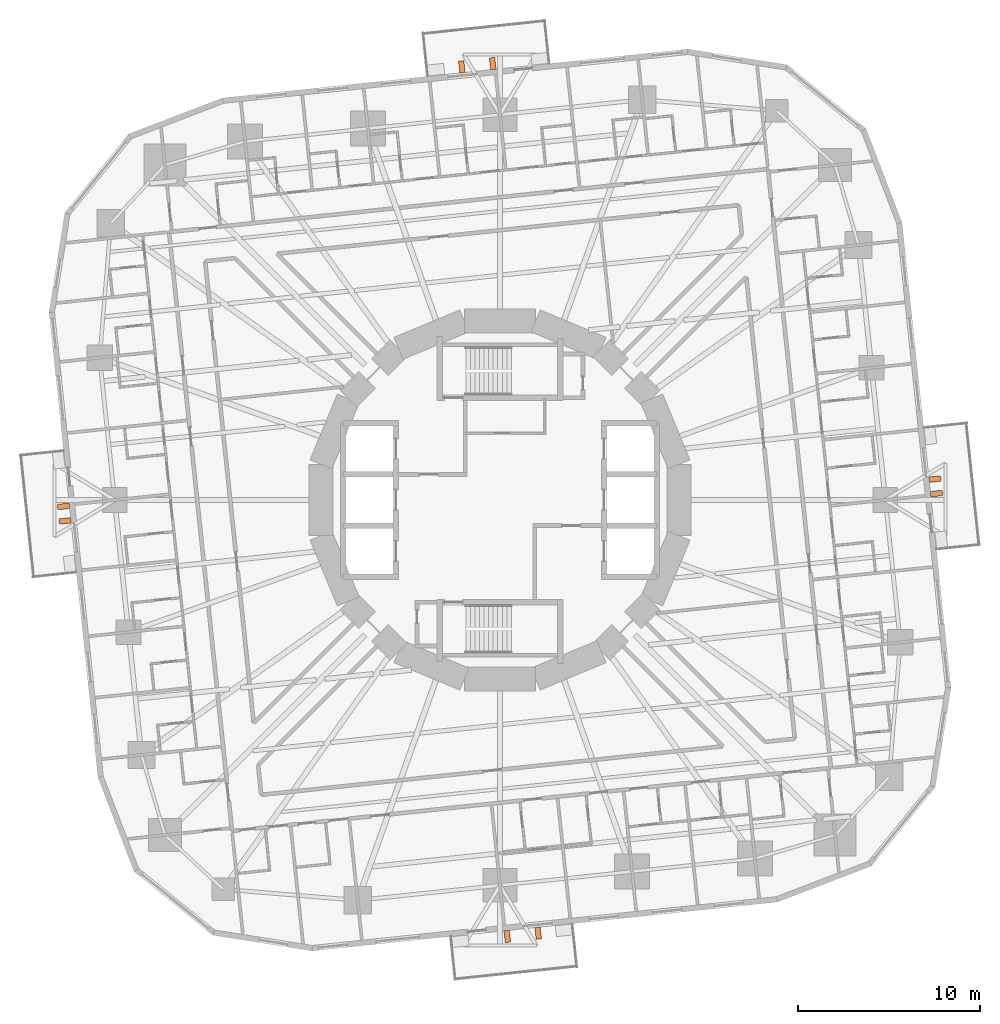
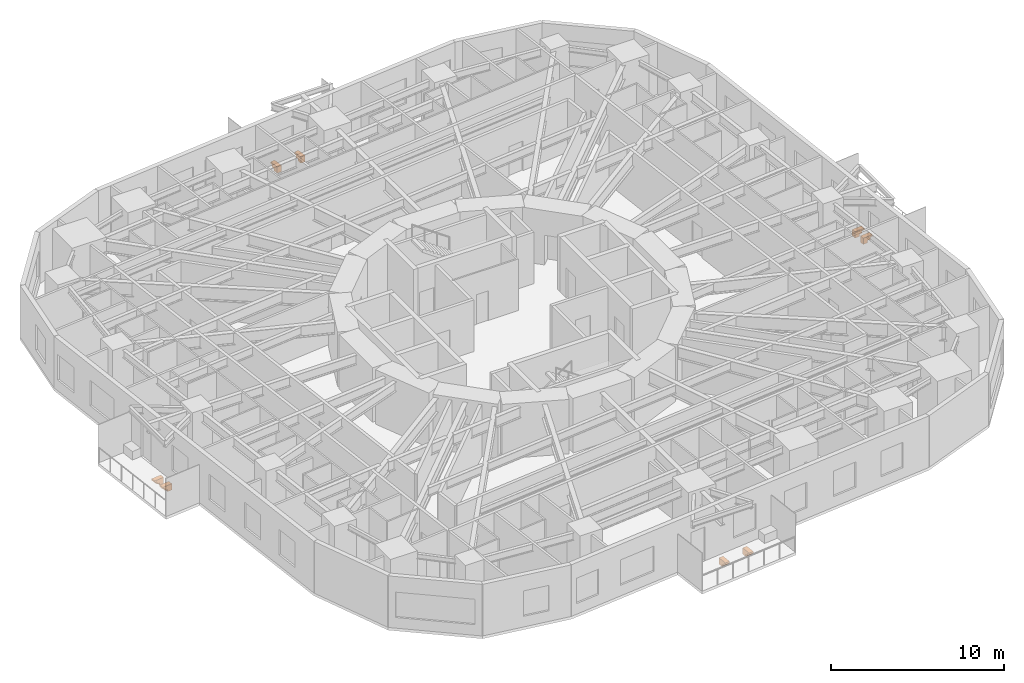
# One storey, part 15 of 15: 8 proxies.
"""IFC4 building model written with IfcOpenShell, lengths in metres."""

from ifc_helpers import new_model, si_unit, direction, frame, origin, place, context, subcontext, project, spatial, polyline, outline, extrude, material, type_object, element, save


model = new_model("IFC4")

# Units and contexts
model_context = context("Model", 3, precision=1e-05, world=origin(), true_north=direction((0.0, 1.0)))
body_context = subcontext(model_context, "Body", "Model", "MODEL_VIEW")
ifc_project = project(units=[si_unit("LENGTHUNIT", "METRE"), si_unit("AREAUNIT", "SQUARE_METRE"), si_unit("VOLUMEUNIT", "CUBIC_METRE"), si_unit("PLANEANGLEUNIT", "RADIAN"), si_unit("MASSUNIT", "GRAM", prefix="KILO")], contexts=[model_context])

# Site, building, storey
site_placement = place(None, origin())
site = spatial("IfcSite", under=ifc_project, at=site_placement, CompositionType="ELEMENT")
building_placement = place(site_placement, origin())
building = spatial("IfcBuilding", under=site, at=building_placement, Name="Nakasero Lantern House", CompositionType="ELEMENT")
storey_placement = place(building_placement, frame((0.0, 0.0, 68.199951171875)))
storey = spatial("IfcBuildingStorey", under=building, at=storey_placement, Name="L16", CompositionType="ELEMENT", Elevation=68.199951171875)

# Proxies
ifc_material = material(Name="Concrete C40/50 precast", Category="concrete")
building_element_proxy_type = type_object("IfcBuildingElementProxyType", Name="Balcony bracket 300", PredefinedType="USERDEFINED", material=ifc_material)
for number, where, z_axis, x_axis, name in (
    (1, (23.595947265625, 0.318115234375, -0.199951171875), (0.0, 0.0, 1.0), (0.994521895, 0.104528463, 0.0), "Balcony bracket L16 0A"),
    (2, (23.512451171875, 1.11376953125, -0.199951171875), (0.0, 0.0, 1.0), (0.994521895, 0.104528463, 0.0), "Balcony bracket L16 0B"),
    (3, (-0.367919921875, 23.5908203125, -0.199951171875), (0.0, 0.0, 1.0), (-0.104528463, 0.994521895, 0.0), "Balcony bracket L16 1A"),
    (4, (-2.05859375, 23.4130859375, -0.199951171875), (0.0, 0.0, 1.0), (-0.104528463, 0.994521895, 0.0), "Balcony bracket L16 1B"),
    (5, (-23.595947265625, -0.318115234375, -0.199951171875), (0.0, 0.0, 1.0), (-0.994521895, -0.104528463, 0.0), "Balcony bracket L16 2A"),
    (6, (-23.512451171875, -1.11376953125, -0.199951171875), (0.0, 0.0, 1.0), (-0.994521895, -0.104528463, 0.0), "Balcony bracket L16 2B"),
    (7, (0.367919921875, -23.5908203125, -0.199951171875), (0.0, 0.0, 1.0), (0.104528463, -0.994521895, 0.0), "Balcony bracket L16 3A"),
    (8, (2.05859375, -23.4130859375, -0.199951171875), (0.0, 0.0, 1.0), (0.104528463, -0.994521895, 0.0), "Balcony bracket L16 3B"),
):
    element("IfcBuildingElementProxy", number, at=place(storey_placement, frame(where, z_axis=z_axis, x_axis=x_axis)), inside=storey, type_object=building_element_proxy_type, Name=name, ObjectType="BALCONY BRACKET", PredefinedType="USERDEFINED", context=body_context, shape_type="SweptSolid", body=[
        extrude(outline(polyline([(0.0, 0.0), (0.64990234375, 0.0), (0.64990234375, -0.1201171875), (0.5, -0.1201171875), (0.5, -0.280029296875), (0.300048828125, -0.280029296875), (0.300048828125, -0.43994140625), (0.0, -0.43994140625), (0.0, 0.0)])), frame((0.0, 0.14990234375, 0.0), z_axis=(0.0, -1.0, 0.0), x_axis=(1.0, 0.0, 0.0)), (0.0, 0.0, 1.0), 0.300048828125),
    ])

save(model, "model.ifc")
